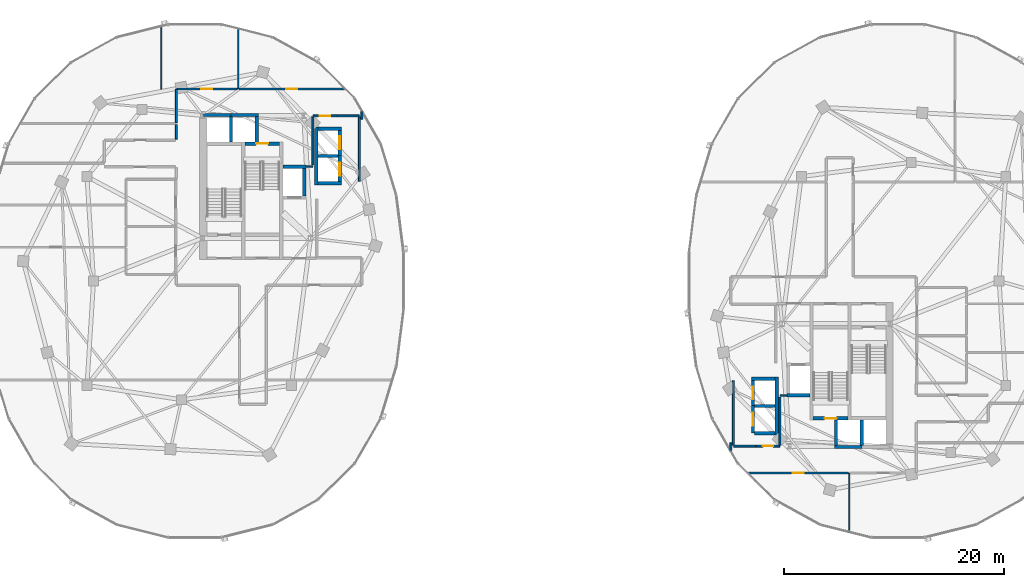
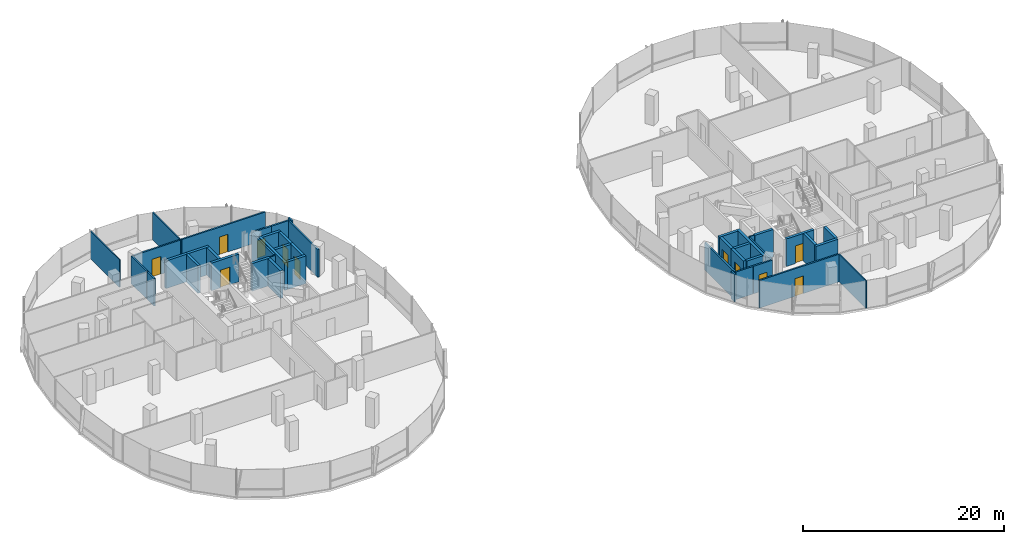
# One storey, part 13 of 22: 44 walls, 11 doors, 11 openings.
"""IFC4 building model written with IfcOpenShell, lengths in metres."""

from ifc_helpers import new_model, si_unit, direction, frame, frame_2d, origin, place, context, subcontext, project, spatial, rectangle, extrude, material, layer, layer_set, type_object, element, fill, save


model = new_model("IFC4")

# Units and contexts
model_context = context("Model", 3, precision=1e-05, world=origin(), true_north=direction((0.0, 1.0)))
body_context = subcontext(model_context, "Body", "Model", "MODEL_VIEW")
ifc_project = project(units=[si_unit("LENGTHUNIT", "METRE"), si_unit("AREAUNIT", "SQUARE_METRE"), si_unit("VOLUMEUNIT", "CUBIC_METRE"), si_unit("PLANEANGLEUNIT", "RADIAN"), si_unit("MASSUNIT", "GRAM", prefix="KILO"), si_unit("THERMODYNAMICTEMPERATUREUNIT", "KELVIN"), si_unit("POWERUNIT", "WATT")], contexts=[model_context])

# Site, building, storey
site_placement = place(None, origin())
site = spatial("IfcSite", under=ifc_project, at=site_placement, CompositionType="ELEMENT")
building_placement = place(site_placement, origin())
building = spatial("IfcBuilding", under=site, at=building_placement, Name="Cundina Bronze Exchange", CompositionType="ELEMENT")
storey_placement = place(building_placement, frame((0.0, 0.0, 154.800048828125)))
storey = spatial("IfcBuildingStorey", under=building, at=storey_placement, Name="L40", CompositionType="ELEMENT", Elevation=154.800048828125)

# Wall
ifc_material_1 = material(Name="Gypsum Fireboard Partition EI120")
ifc_layer_1 = layer(ifc_material_1, 0.179931640625, Name="Gypsum Fireboard Partition EI120")
ifc_layer_set_1 = layer_set([ifc_layer_1], Name="Gypsum Fireboard Partition EI120")
wall_type_1 = type_object("IfcWallType", Name="WL-COR-180", PredefinedType="PARTITIONING", material=ifc_layer_set_1)
wall_1_placement = place(storey_placement, frame((-17.02001953125, 9.070068359375, 0.0), z_axis=(0.0, 0.0, 1.0), x_axis=(0.0, 1.0, 0.0)))
element("IfcWall", 1, at=wall_1_placement, inside=storey, type_object=wall_type_1, Name="L40 Interior Partition 001", PredefinedType="PARTITIONING", context=body_context, shape_type="SweptSolid", body=[
    extrude(rectangle(XDim=5.85986328125, YDim=0.179931640625, at=frame_2d((2.929931640625, 0.0))), origin(), (0.0, 0.0, 1.0), 3.35986328125),
])

# Wall, opening, door
wall_2_placement = place(storey_placement, frame((-21.22998046875, 15.030029296875, 0.0), z_axis=(0.0, 0.0, 1.0), x_axis=(1.0, 0.0, 0.0)))
wall_2 = element("IfcWall", 2, at=wall_2_placement, inside=storey, type_object=wall_type_1, Name="L40 Interior Partition 002", PredefinedType="PARTITIONING", context=body_context, shape_type="SweptSolid", body=[
    extrude(rectangle(XDim=2.159912109375, YDim=0.179931640625, at=frame_2d((1.080078125, 0.0))), origin(), (0.0, 0.0, 1.0), 3.35986328125),
])
opening_1_placement = place(wall_2_placement, frame((0.60498046875, 0.0, 0.0)))
opening_1 = element("IfcOpeningElement", 3, at=opening_1_placement, cuts=wall_2, Name="Opening DW-01", PredefinedType="OPENING", context=body_context, shape_type="SweptSolid", body=[
    extrude(rectangle(XDim=0.949951171875, YDim=2.10009765625, at=frame_2d((0.47509765625, 1.050048828125))), frame((0.0, 0.099853515625, 0.0), z_axis=(0.0, -1.0, 0.0), x_axis=(1.0, 0.0, 0.0)), (0.0, 0.0, 1.0), 0.199951171875),
])
ifc_material_2 = material(Name="Solid Andean Oak Timber Grade A", Category="wood")
door_type_1 = type_object("IfcDoorType", Name="DR-WC-950", OperationType="NOTDEFINED", PredefinedType="DOOR", material=ifc_material_2)
door_1_placement = place(opening_1_placement, origin())
door_1 = element("IfcDoor", 4, at=door_1_placement, inside=storey, type_object=door_type_1, Name="L40 Interior Door 002", OperationType="SINGLE_SWING_LEFT", OverallHeight=2.10009765625, OverallWidth=0.949951171875, PredefinedType="DOOR", context=body_context, shape_type="SweptSolid", body=[
    extrude(rectangle(XDim=0.949951171875, YDim=2.10009765625, at=frame_2d((0.47509765625, 1.050048828125))), frame((0.0, 0.02490234375, 0.0), z_axis=(0.0, -1.0, 0.0), x_axis=(1.0, 0.0, 0.0)), (0.0, 0.0, 1.0), 0.050048828125),
])
fill(opening_1, door_1)

# Walls
wall_3_placement = place(storey_placement, frame((-19.030029296875, 15.030029296875, 0.0), z_axis=(0.0, 0.0, 1.0), x_axis=(1.0, 0.0, 0.0)))
element("IfcWall", 5, at=wall_3_placement, inside=storey, type_object=wall_type_1, Name="L40 Interior Partition 003", PredefinedType="PARTITIONING", context=body_context, shape_type="SweptSolid", body=[
    extrude(rectangle(XDim=1.989990234375, YDim=0.179931640625, at=frame_2d((0.9951171875, 0.0))), origin(), (0.0, 0.0, 1.0), 3.35986328125),
])
wall_4_placement = place(storey_placement, frame((-21.25, 10.570068359375, 0.0), z_axis=(0.0, 0.0, 1.0), x_axis=(0.0, 1.0, 0.0)))
element("IfcWall", 6, at=wall_4_placement, inside=storey, type_object=wall_type_1, Name="L40 Interior Partition 005", PredefinedType="PARTITIONING", context=body_context, shape_type="SweptSolid", body=[
    extrude(rectangle(XDim=4.35986328125, YDim=0.179931640625, at=frame_2d((2.179931640625, 0.0))), origin(), (0.0, 0.0, 1.0), 3.35986328125),
])
wall_5_placement = place(storey_placement, frame((-16.780029296875, 14.721435546875, 0.0), z_axis=(0.0, 0.0, 1.0), x_axis=(0.0, 1.0, 0.0)))
element("IfcWall", 7, at=wall_5_placement, inside=storey, type_object=wall_type_1, Name="L40 Interior Partition 033", PredefinedType="PARTITIONING", context=body_context, shape_type="SweptSolid", body=[
    extrude(rectangle(XDim=0.68359375, YDim=0.179931640625, at=frame_2d((0.341796875, 0.0))), origin(), (0.0, 0.0, 1.0), 3.35986328125),
])
wall_6_placement = place(storey_placement, frame((-33.669921875, 14.22998046875, 0.0), z_axis=(0.0, 0.0, 1.0), x_axis=(0.0, -1.0, 0.0)))
element("IfcWall", 8, at=wall_6_placement, inside=storey, type_object=wall_type_1, Name="L40 Interior Partition 038", PredefinedType="PARTITIONING", context=body_context, shape_type="SweptSolid", body=[
    extrude(rectangle(XDim=1.330078125, YDim=0.179931640625, at=frame_2d((0.6650390625, 0.0))), origin(), (0.0, 0.0, 1.0), 3.35986328125),
])

# Wall, opening, door
wall_7_placement = place(storey_placement, frame((-28.1298828125, 17.469970703125, 0.0), z_axis=(0.0, 0.0, 1.0), x_axis=(-1.0, 0.0, 0.0)))
wall_7 = element("IfcWall", 9, at=wall_7_placement, inside=storey, type_object=wall_type_1, Name="L40 Interior Partition 039", PredefinedType="PARTITIONING", context=body_context, shape_type="SweptSolid", body=[
    extrude(rectangle(XDim=5.49853515625, YDim=0.179931640625, at=frame_2d((2.749267578125, 0.0))), origin(), (0.0, 0.0, 1.0), 3.35986328125),
])
opening_2_placement = place(wall_7_placement, frame((2.249267578125, 0.0, 0.0)))
opening_2 = element("IfcOpeningElement", 10, at=opening_2_placement, cuts=wall_7, Name="Opening DO-01", PredefinedType="OPENING", context=body_context, shape_type="SweptSolid", body=[
    extrude(rectangle(XDim=1.0, YDim=2.14990234375, at=frame_2d((0.5, 1.074951171875))), frame((0.0, 0.099853515625, 0.0), z_axis=(0.0, -1.0, 0.0), x_axis=(1.0, 0.0, 0.0)), (0.0, 0.0, 1.0), 0.199951171875),
])
door_type_2 = type_object("IfcDoorType", Name="DR-OFF-1000", OperationType="NOTDEFINED", PredefinedType="DOOR", material=ifc_material_2)
door_2_placement = place(opening_2_placement, origin())
door_2 = element("IfcDoor", 11, at=door_2_placement, inside=storey, type_object=door_type_2, Name="L40 Interior Door 039", OperationType="SINGLE_SWING_RIGHT", OverallHeight=2.14990234375, OverallWidth=1.0, PredefinedType="DOOR", context=body_context, shape_type="SweptSolid", body=[
    extrude(rectangle(XDim=1.0, YDim=2.14990234375, at=frame_2d((0.5, 1.074951171875))), frame((0.0, 0.02490234375, 0.0), z_axis=(0.0, -1.0, 0.0), x_axis=(1.0, 0.0, 0.0)), (0.0, 0.0, 1.0), 0.050048828125),
])
fill(opening_2, door_2)

# Wall
wall_8_placement = place(storey_placement, frame((-33.669921875, 17.428466796875, 0.0), z_axis=(0.0, 0.0, 1.0), x_axis=(0.0, -1.0, 0.0)))
element("IfcWall", 12, at=wall_8_placement, inside=storey, type_object=wall_type_1, Name="L40 Interior Partition 040", PredefinedType="PARTITIONING", context=body_context, shape_type="SweptSolid", body=[
    extrude(rectangle(XDim=3.0185546875, YDim=0.179931640625, at=frame_2d((1.50927734375, 0.0))), origin(), (0.0, 0.0, 1.0), 3.35986328125),
])

# Wall, opening, door
wall_9_placement = place(storey_placement, frame((-18.341796875, 17.469970703125, 0.0), z_axis=(0.0, 0.0, 1.0), x_axis=(-1.0, 0.0, 0.0)))
wall_9 = element("IfcWall", 13, at=wall_9_placement, inside=storey, type_object=wall_type_1, Name="L40 Interior Partition 041", PredefinedType="PARTITIONING", context=body_context, shape_type="SweptSolid", body=[
    extrude(rectangle(XDim=9.608154296875, YDim=0.179931640625, at=frame_2d((4.80419921875, 0.0))), origin(), (0.0, 0.0, 1.0), 3.35986328125),
])
opening_3_placement = place(wall_9_placement, frame((4.30419921875, 0.0, 0.0)))
opening_3 = element("IfcOpeningElement", 14, at=opening_3_placement, cuts=wall_9, Name="Opening DO-01", PredefinedType="OPENING", context=body_context, shape_type="SweptSolid", body=[
    extrude(rectangle(XDim=1.0, YDim=2.14990234375, at=frame_2d((0.5, 1.074951171875))), frame((0.0, 0.099853515625, 0.0), z_axis=(0.0, -1.0, 0.0), x_axis=(1.0, 0.0, 0.0)), (0.0, 0.0, 1.0), 0.199951171875),
])
door_3_placement = place(opening_3_placement, origin())
door_3 = element("IfcDoor", 15, at=door_3_placement, inside=storey, type_object=door_type_2, Name="L40 Interior Door 041", OperationType="SINGLE_SWING_LEFT", OverallHeight=2.14990234375, OverallWidth=1.0, PredefinedType="DOOR", context=body_context, shape_type="SweptSolid", body=[
    extrude(rectangle(XDim=1.0, YDim=2.14990234375, at=frame_2d((0.5, 1.074951171875))), frame((0.0, 0.02490234375, 0.0), z_axis=(0.0, -1.0, 0.0), x_axis=(1.0, 0.0, 0.0)), (0.0, 0.0, 1.0), 0.050048828125),
])
fill(opening_3, door_3)

# Walls
wall_10_placement = place(storey_placement, frame((17.02001953125, -14.929931640625, 0.0), z_axis=(0.0, 0.0, 1.0), x_axis=(0.0, 1.0, 0.0)))
element("IfcWall", 16, at=wall_10_placement, inside=storey, type_object=wall_type_1, Name="L40 Interior Partition 043", PredefinedType="PARTITIONING", context=body_context, shape_type="SweptSolid", body=[
    extrude(rectangle(XDim=5.85986328125, YDim=0.179931640625, at=frame_2d((2.929931640625, 0.0))), origin(), (0.0, 0.0, 1.0), 3.35986328125),
])
wall_11_placement = place(storey_placement, frame((17.0400390625, -15.030029296875, 0.0), z_axis=(0.0, 0.0, 1.0), x_axis=(1.0, 0.0, 0.0)))
element("IfcWall", 17, at=wall_11_placement, inside=storey, type_object=wall_type_1, Name="L40 Interior Partition 044", PredefinedType="PARTITIONING", context=body_context, shape_type="SweptSolid", body=[
    extrude(rectangle(XDim=1.989990234375, YDim=0.179931640625, at=frame_2d((0.9951171875, 0.0))), origin(), (0.0, 0.0, 1.0), 3.35986328125),
])

# Wall, opening, door
wall_12_placement = place(storey_placement, frame((21.22998046875, -15.030029296875, 0.0), z_axis=(0.0, 0.0, 1.0), x_axis=(-1.0, 0.0, 0.0)))
wall_12 = element("IfcWall", 18, at=wall_12_placement, inside=storey, type_object=wall_type_1, Name="L40 Interior Partition 045", PredefinedType="PARTITIONING", context=body_context, shape_type="SweptSolid", body=[
    extrude(rectangle(XDim=2.159912109375, YDim=0.179931640625, at=frame_2d((1.080078125, 0.0))), origin(), (0.0, 0.0, 1.0), 3.35986328125),
])
opening_4_placement = place(wall_12_placement, frame((0.60498046875, 0.0, 0.0)))
opening_4 = element("IfcOpeningElement", 19, at=opening_4_placement, cuts=wall_12, Name="Opening DW-01", PredefinedType="OPENING", context=body_context, shape_type="SweptSolid", body=[
    extrude(rectangle(XDim=0.949951171875, YDim=2.10009765625, at=frame_2d((0.47509765625, 1.050048828125))), frame((0.0, 0.099853515625, 0.0), z_axis=(0.0, -1.0, 0.0), x_axis=(1.0, 0.0, 0.0)), (0.0, 0.0, 1.0), 0.199951171875),
])
door_4_placement = place(opening_4_placement, origin())
door_4 = element("IfcDoor", 20, at=door_4_placement, inside=storey, type_object=door_type_1, Name="L40 Interior Door 045", OperationType="SINGLE_SWING_RIGHT", OverallHeight=2.10009765625, OverallWidth=0.949951171875, PredefinedType="DOOR", context=body_context, shape_type="SweptSolid", body=[
    extrude(rectangle(XDim=0.949951171875, YDim=2.10009765625, at=frame_2d((0.47509765625, 1.050048828125))), frame((0.0, 0.02490234375, 0.0), z_axis=(0.0, -1.0, 0.0), x_axis=(1.0, 0.0, 0.0)), (0.0, 0.0, 1.0), 0.050048828125),
])
fill(opening_4, door_4)

# Wall
wall_13_placement = place(storey_placement, frame((21.25, -14.929931640625, 0.0), z_axis=(0.0, 0.0, 1.0), x_axis=(0.0, 1.0, 0.0)))
element("IfcWall", 21, at=wall_13_placement, inside=storey, type_object=wall_type_1, Name="L40 Interior Partition 047", PredefinedType="PARTITIONING", context=body_context, shape_type="SweptSolid", body=[
    extrude(rectangle(XDim=4.35986328125, YDim=0.179931640625, at=frame_2d((2.179931640625, 0.0))), origin(), (0.0, 0.0, 1.0), 3.35986328125),
])

# Wall, opening, door
wall_14_placement = place(storey_placement, frame((18.341796875, -17.469970703125, 0.0), z_axis=(0.0, 0.0, 1.0), x_axis=(1.0, 0.0, 0.0)))
wall_14 = element("IfcWall", 22, at=wall_14_placement, inside=storey, type_object=wall_type_1, Name="L40 Interior Partition 065", PredefinedType="PARTITIONING", context=body_context, shape_type="SweptSolid", body=[
    extrude(rectangle(XDim=9.128173828125, YDim=0.179931640625, at=frame_2d((4.56396484375, 0.0))), origin(), (0.0, 0.0, 1.0), 3.35986328125),
])
opening_5_placement = place(wall_14_placement, frame((4.064208984375, 0.0, 0.0)))
opening_5 = element("IfcOpeningElement", 23, at=opening_5_placement, cuts=wall_14, Name="Opening DO-01", PredefinedType="OPENING", context=body_context, shape_type="SweptSolid", body=[
    extrude(rectangle(XDim=1.0, YDim=2.14990234375, at=frame_2d((0.5, 1.074951171875))), frame((0.0, 0.099853515625, 0.0), z_axis=(0.0, -1.0, 0.0), x_axis=(1.0, 0.0, 0.0)), (0.0, 0.0, 1.0), 0.199951171875),
])
door_5_placement = place(opening_5_placement, origin())
door_5 = element("IfcDoor", 24, at=door_5_placement, inside=storey, type_object=door_type_2, Name="L40 Interior Door 065", OperationType="SINGLE_SWING_RIGHT", OverallHeight=2.14990234375, OverallWidth=1.0, PredefinedType="DOOR", context=body_context, shape_type="SweptSolid", body=[
    extrude(rectangle(XDim=1.0, YDim=2.14990234375, at=frame_2d((0.5, 1.074951171875))), frame((0.0, 0.02490234375, 0.0), z_axis=(0.0, -1.0, 0.0), x_axis=(1.0, 0.0, 0.0)), (0.0, 0.0, 1.0), 0.050048828125),
])
fill(opening_5, door_5)

# Walls
wall_15_placement = place(storey_placement, frame((16.780029296875, -14.721435546875, 0.0), z_axis=(0.0, 0.0, 1.0), x_axis=(0.0, -1.0, 0.0)))
element("IfcWall", 25, at=wall_15_placement, inside=storey, type_object=wall_type_1, Name="L40 Interior Partition 077", PredefinedType="PARTITIONING", context=body_context, shape_type="SweptSolid", body=[
    extrude(rectangle(XDim=0.68359375, YDim=0.179931640625, at=frame_2d((0.341796875, 0.0))), origin(), (0.0, 0.0, 1.0), 3.35986328125),
])
ifc_material_3 = material(Name="Gypsum Acoustic Partition EI60")
ifc_layer_2 = layer(ifc_material_3, 0.125, Name="Gypsum Acoustic Partition EI60")
ifc_layer_set_2 = layer_set([ifc_layer_2], Name="Gypsum Acoustic Partition EI60")
wall_type_2 = type_object("IfcWallType", Name="WL-OFF-125", PredefinedType="PARTITIONING", material=ifc_layer_set_2)
wall_16_placement = place(storey_placement, frame((-35.0400390625, 17.469970703125, 0.0), z_axis=(0.0, 0.0, 1.0), x_axis=(0.0, 1.0, 0.0)))
element("IfcWall", 26, at=wall_16_placement, inside=storey, type_object=wall_type_2, Name="L40 Interior Partition 021", PredefinedType="PARTITIONING", context=body_context, shape_type="SweptSolid", body=[
    extrude(rectangle(XDim=5.78173828125, YDim=0.125, at=frame_2d((2.890869140625, 0.0))), origin(), (0.0, 0.0, 1.0), 3.35986328125),
])
wall_17_placement = place(storey_placement, frame((-28.0400390625, 17.5, 0.0), z_axis=(0.0, 0.0, 1.0), x_axis=(0.0, 1.0, 0.0)))
element("IfcWall", 27, at=wall_17_placement, inside=storey, type_object=wall_type_2, Name="L40 Interior Partition 022", PredefinedType="PARTITIONING", context=body_context, shape_type="SweptSolid", body=[
    extrude(rectangle(XDim=5.521484375, YDim=0.125, at=frame_2d((2.7607421875, 0.0))), origin(), (0.0, 0.0, 1.0), 3.35986328125),
])
wall_18_placement = place(storey_placement, frame((27.56005859375, -22.9013671875, 0.0), z_axis=(0.0, 0.0, 1.0), x_axis=(0.0, 1.0, 0.0)))
element("IfcWall", 28, at=wall_18_placement, inside=storey, type_object=wall_type_2, Name="L40 Interior Partition 064", PredefinedType="PARTITIONING", context=body_context, shape_type="SweptSolid", body=[
    extrude(rectangle(XDim=5.4013671875, YDim=0.125, at=frame_2d((2.70068359375, 0.0))), origin(), (0.0, 0.0, 1.0), 3.35986328125),
])

# Wall, opening, door
ifc_material_4 = material(Name="Concrete C50/60", Category="concrete")
ifc_layer_3 = layer(ifc_material_4, 0.300048828125, Name="Concrete C50/60", Category="concrete")
ifc_layer_set_3 = layer_set([ifc_layer_3], Name="Concrete C50/60")
wall_type_3 = type_object("IfcWallType", Name="WL-SHFT-300", PredefinedType="SHEAR", material=ifc_layer_set_3)
wall_19_placement = place(storey_placement, frame((-27.43994140625, 12.5, 0.0), z_axis=(0.0, 0.0, 1.0), x_axis=(1.0, 0.0, 0.0)))
wall_19 = element("IfcWall", 29, at=wall_19_placement, inside=storey, type_object=wall_type_3, Name="L40 Stair W2 Landing Wall", PredefinedType="SHEAR", context=body_context, shape_type="SweptSolid", body=[
    extrude(rectangle(XDim=3.159912109375, YDim=0.300048828125, at=frame_2d((1.580078125, 0.0))), origin(), (0.0, 0.0, 1.0), 3.35986328125),
])
opening_6_placement = place(wall_19_placement, frame((1.030029296875, 0.0, 0.0)))
opening_6 = element("IfcOpeningElement", 30, at=opening_6_placement, cuts=wall_19, Name="Opening DS-01", PredefinedType="OPENING", context=body_context, shape_type="SweptSolid", body=[
    extrude(rectangle(XDim=1.10009765625, YDim=2.14990234375, at=frame_2d((0.550048828125, 1.074951171875))), frame((0.0, 0.159912109375, 0.0), z_axis=(0.0, -1.0, 0.0), x_axis=(1.0, 0.0, 0.0)), (0.0, 0.0, 1.0), 0.320068359375),
])
ifc_material_5 = material(Name="Steel ASTM A36 Painted", Category="steel")
door_type_3 = type_object("IfcDoorType", Name="DR-STR-1100", OperationType="NOTDEFINED", PredefinedType="DOOR", material=ifc_material_5)
door_6_placement = place(opening_6_placement, origin())
door_6 = element("IfcDoor", 31, at=door_6_placement, inside=storey, type_object=door_type_3, Name="L40 Smokeproof Stair W2 Door", OperationType="SINGLE_SWING_LEFT", OverallHeight=2.14990234375, OverallWidth=1.10009765625, PredefinedType="DOOR", context=body_context, shape_type="SweptSolid", body=[
    extrude(rectangle(XDim=1.10009765625, YDim=2.14990234375, at=frame_2d((0.550048828125, 1.074951171875))), frame((0.0, 0.02490234375, 0.0), z_axis=(0.0, -1.0, 0.0), x_axis=(1.0, 0.0, 0.0)), (0.0, 0.0, 1.0), 0.050048828125),
])
fill(opening_6, door_6)

# Walls
wall_20_placement = place(storey_placement, frame((-23.97998046875, 10.39990234375, 0.0), z_axis=(0.0, 0.0, 1.0), x_axis=(1.0, 0.0, 0.0)))
element("IfcWall", 32, at=wall_20_placement, inside=storey, type_object=wall_type_3, Name="L40 FFL-W Hoistway Back Wall", PredefinedType="SHEAR", context=body_context, shape_type="SweptSolid", body=[
    extrude(rectangle(XDim=2.10009765625, YDim=0.300048828125, at=frame_2d((1.050048828125, 0.0))), origin(), (0.0, 0.0, 1.0), 3.35986328125),
])
for number, where, z_axis, x_axis, name in (
    (33, (-22.030029296875, 7.75, 0.0), (0.0, 0.0, 1.0), (0.0, 1.0, 0.0), "L40 FFL-W Hoistway Side Wall"),
    (34, (-31.199951171875, 15.10009765625, 0.0), (0.0, 0.0, 1.0), (1.0, 0.0, 0.0), "L40 PH-W1 Hoistway Front Wall"),
):
    element("IfcWall", number, at=place(storey_placement, frame(where, z_axis=z_axis, x_axis=x_axis)), inside=storey, type_object=wall_type_3, Name=name, PredefinedType="SHEAR", context=body_context, shape_type="SweptSolid", body=[
        extrude(rectangle(XDim=2.5, YDim=0.300048828125, at=frame_2d((1.25, 0.0))), origin(), (0.0, 0.0, 1.0), 3.35986328125),
    ])
wall_21_placement = place(storey_placement, frame((-28.699951171875, 12.64990234375, 0.0), z_axis=(0.0, 0.0, 1.0), x_axis=(0.0, 1.0, 0.0)))
element("IfcWall", 35, at=wall_21_placement, inside=storey, type_object=wall_type_3, Name="L40 PH-W1 Hoistway Divider Wall", PredefinedType="SHEAR", context=body_context, shape_type="SweptSolid", body=[
    extrude(rectangle(XDim=2.300048828125, YDim=0.300048828125, at=frame_2d((1.14990234375, 0.0))), origin(), (0.0, 0.0, 1.0), 3.35986328125),
])
wall_22_placement = place(storey_placement, frame((-28.699951171875, 15.10009765625, 0.0), z_axis=(0.0, 0.0, 1.0), x_axis=(1.0, 0.0, 0.0)))
element("IfcWall", 36, at=wall_22_placement, inside=storey, type_object=wall_type_3, Name="L40 PH-W2 Hoistway Front Wall", PredefinedType="SHEAR", context=body_context, shape_type="SweptSolid", body=[
    extrude(rectangle(XDim=2.5, YDim=0.300048828125, at=frame_2d((1.25, 0.0))), origin(), (0.0, 0.0, 1.0), 3.35986328125),
])
wall_23_placement = place(storey_placement, frame((-26.35009765625, 12.64990234375, 0.0), z_axis=(0.0, 0.0, 1.0), x_axis=(0.0, 1.0, 0.0)))
element("IfcWall", 37, at=wall_23_placement, inside=storey, type_object=wall_type_3, Name="L40 PH-W2 Hoistway Divider Wall", PredefinedType="SHEAR", context=body_context, shape_type="SweptSolid", body=[
    extrude(rectangle(XDim=2.300048828125, YDim=0.300048828125, at=frame_2d((1.14990234375, 0.0))), origin(), (0.0, 0.0, 1.0), 3.35986328125),
])
wall_24_placement = place(storey_placement, frame((-20.949951171875, 8.75, 0.0), z_axis=(0.0, 0.0, 1.0), x_axis=(0.0, 1.0, 0.0)))
element("IfcWall", 38, at=wall_24_placement, inside=storey, type_object=wall_type_3, Name="L40 W Passenger Bank Hoistway Back Wall", PredefinedType="SHEAR", context=body_context, shape_type="SweptSolid", body=[
    extrude(rectangle(XDim=5.25, YDim=0.300048828125, at=frame_2d((2.625, 0.0))), origin(), (0.0, 0.0, 1.0), 3.35986328125),
])
for number, where, z_axis, x_axis, name in (
    (39, (-20.800048828125, 8.89990234375, 0.0), (0.0, 0.0, 1.0), (1.0, 0.0, 0.0), "L40 W Passenger Bank South Cap Wall"),
    (40, (-20.800048828125, 13.85009765625, 0.0), (0.0, 0.0, 1.0), (1.0, 0.0, 0.0), "L40 W Passenger Bank North Cap Wall"),
):
    element("IfcWall", number, at=place(storey_placement, frame(where, z_axis=z_axis, x_axis=x_axis)), inside=storey, type_object=wall_type_3, Name=name, PredefinedType="SHEAR", context=body_context, shape_type="SweptSolid", body=[
        extrude(rectangle(XDim=2.150146484375, YDim=0.300048828125, at=frame_2d((1.0751953125, 0.0))), origin(), (0.0, 0.0, 1.0), 3.35986328125),
    ])
wall_25_placement = place(storey_placement, frame((-20.800048828125, 11.375, 0.0), z_axis=(0.0, 0.0, 1.0), x_axis=(1.0, 0.0, 0.0)))
element("IfcWall", 41, at=wall_25_placement, inside=storey, type_object=wall_type_3, Name="L40 W Passenger Hoistway Divider 1", PredefinedType="SHEAR", context=body_context, shape_type="SweptSolid", body=[
    extrude(rectangle(XDim=1.85009765625, YDim=0.300048828125, at=frame_2d((0.925048828125, 0.0))), origin(), (0.0, 0.0, 1.0), 3.35986328125),
])

# Wall, opening, door
wall_26_placement = place(storey_placement, frame((-18.800048828125, 8.929931640625, 0.0), z_axis=(0.0, 0.0, 1.0), x_axis=(0.0, 1.0, 0.0)))
wall_26 = element("IfcWall", 42, at=wall_26_placement, inside=storey, type_object=wall_type_3, Name="L40 PM-W2 Hoistway Front Wall", PredefinedType="SHEAR", context=body_context, shape_type="SweptSolid", body=[
    extrude(rectangle(XDim=2.489990234375, YDim=0.300048828125, at=frame_2d((1.2451171875, 0.0))), origin(), (0.0, 0.0, 1.0), 3.35986328125),
])
opening_7_placement = place(wall_26_placement, frame((0.669921875, 0.0, 0.0)))
opening_7 = element("IfcOpeningElement", 43, at=opening_7_placement, cuts=wall_26, Name="Opening LD-01", PredefinedType="OPENING", context=body_context, shape_type="SweptSolid", body=[
    extrude(rectangle(XDim=1.14990234375, YDim=2.199951171875, at=frame_2d((0.574951171875, 1.10009765625))), frame((0.0, 0.159912109375, 0.0), z_axis=(0.0, -1.0, 0.0), x_axis=(1.0, 0.0, 0.0)), (0.0, 0.0, 1.0), 0.320068359375),
])
door_type_4 = type_object("IfcDoorType", Name="DR-LND-1150", OperationType="NOTDEFINED", PredefinedType="TRAPDOOR", material=ifc_material_5)
door_7_placement = place(opening_7_placement, origin())
door_7 = element("IfcDoor", 44, at=door_7_placement, inside=storey, type_object=door_type_4, Name="L40 PM-W2 Sliding Landing Door", OperationType="SLIDING_TO_LEFT", OverallHeight=2.199951171875, OverallWidth=1.14990234375, PredefinedType="TRAPDOOR", context=body_context, shape_type="SweptSolid", body=[
    extrude(rectangle(XDim=1.14990234375, YDim=2.199951171875, at=frame_2d((0.574951171875, 1.10009765625))), frame((0.0, 0.02490234375, 0.0), z_axis=(0.0, -1.0, 0.0), x_axis=(1.0, 0.0, 0.0)), (0.0, 0.0, 1.0), 0.050048828125),
])
fill(opening_7, door_7)

wall_27_placement = place(storey_placement, frame((-18.800048828125, 11.330078125, 0.0), z_axis=(0.0, 0.0, 1.0), x_axis=(0.0, 1.0, 0.0)))
wall_27 = element("IfcWall", 45, at=wall_27_placement, inside=storey, type_object=wall_type_3, Name="L40 PM-W1 Hoistway Front Wall", PredefinedType="SHEAR", context=body_context, shape_type="SweptSolid", body=[
    extrude(rectangle(XDim=2.489990234375, YDim=0.300048828125, at=frame_2d((1.2451171875, 0.0))), origin(), (0.0, 0.0, 1.0), 3.35986328125),
])
opening_8_placement = place(wall_27_placement, frame((0.669921875, 0.0, 0.0)))
opening_8 = element("IfcOpeningElement", 46, at=opening_8_placement, cuts=wall_27, Name="Opening LD-01", PredefinedType="OPENING", context=body_context, shape_type="SweptSolid", body=[
    extrude(rectangle(XDim=1.14990234375, YDim=2.199951171875, at=frame_2d((0.574951171875, 1.10009765625))), frame((0.0, 0.159912109375, 0.0), z_axis=(0.0, -1.0, 0.0), x_axis=(1.0, 0.0, 0.0)), (0.0, 0.0, 1.0), 0.320068359375),
])
door_8_placement = place(opening_8_placement, origin())
door_8 = element("IfcDoor", 47, at=door_8_placement, inside=storey, type_object=door_type_4, Name="L40 PM-W1 Sliding Landing Door", OperationType="SLIDING_TO_LEFT", OverallHeight=2.199951171875, OverallWidth=1.14990234375, PredefinedType="TRAPDOOR", context=body_context, shape_type="SweptSolid", body=[
    extrude(rectangle(XDim=1.14990234375, YDim=2.199951171875, at=frame_2d((0.574951171875, 1.10009765625))), frame((0.0, 0.02490234375, 0.0), z_axis=(0.0, -1.0, 0.0), x_axis=(1.0, 0.0, 0.0)), (0.0, 0.0, 1.0), 0.050048828125),
])
fill(opening_8, door_8)

wall_28_placement = place(storey_placement, frame((24.280029296875, -12.5, 0.0), z_axis=(0.0, 0.0, 1.0), x_axis=(1.0, 0.0, 0.0)))
wall_28 = element("IfcWall", 48, at=wall_28_placement, inside=storey, type_object=wall_type_3, Name="L40 Stair E2 Landing Wall", PredefinedType="SHEAR", context=body_context, shape_type="SweptSolid", body=[
    extrude(rectangle(XDim=3.159912109375, YDim=0.300048828125, at=frame_2d((1.580078125, 0.0))), origin(), (0.0, 0.0, 1.0), 3.35986328125),
])
opening_9_placement = place(wall_28_placement, frame((1.030029296875, 0.0, 0.0)))
opening_9 = element("IfcOpeningElement", 49, at=opening_9_placement, cuts=wall_28, Name="Opening DS-01", PredefinedType="OPENING", context=body_context, shape_type="SweptSolid", body=[
    extrude(rectangle(XDim=1.10009765625, YDim=2.14990234375, at=frame_2d((0.550048828125, 1.074951171875))), frame((0.0, 0.159912109375, 0.0), z_axis=(0.0, -1.0, 0.0), x_axis=(1.0, 0.0, 0.0)), (0.0, 0.0, 1.0), 0.320068359375),
])
door_9_placement = place(opening_9_placement, origin())
door_9 = element("IfcDoor", 50, at=door_9_placement, inside=storey, type_object=door_type_3, Name="L40 Smokeproof Stair E2 Door", OperationType="SINGLE_SWING_RIGHT", OverallHeight=2.14990234375, OverallWidth=1.10009765625, PredefinedType="DOOR", context=body_context, shape_type="SweptSolid", body=[
    extrude(rectangle(XDim=1.10009765625, YDim=2.14990234375, at=frame_2d((0.550048828125, 1.074951171875))), frame((0.0, 0.02490234375, 0.0), z_axis=(0.0, -1.0, 0.0), x_axis=(1.0, 0.0, 0.0)), (0.0, 0.0, 1.0), 0.050048828125),
])
fill(opening_9, door_9)

# Walls
wall_29_placement = place(storey_placement, frame((21.8798828125, -10.39990234375, 0.0), z_axis=(0.0, 0.0, 1.0), x_axis=(1.0, 0.0, 0.0)))
element("IfcWall", 51, at=wall_29_placement, inside=storey, type_object=wall_type_3, Name="L40 FFL-E Hoistway Back Wall", PredefinedType="SHEAR", context=body_context, shape_type="SweptSolid", body=[
    extrude(rectangle(XDim=2.10009765625, YDim=0.300048828125, at=frame_2d((1.050048828125, 0.0))), origin(), (0.0, 0.0, 1.0), 3.35986328125),
])
wall_30_placement = place(storey_placement, frame((28.699951171875, -14.949951171875, 0.0), z_axis=(0.0, 0.0, 1.0), x_axis=(0.0, 1.0, 0.0)))
element("IfcWall", 52, at=wall_30_placement, inside=storey, type_object=wall_type_3, Name="L40 PH-E1 Hoistway Divider Wall", PredefinedType="SHEAR", context=body_context, shape_type="SweptSolid", body=[
    extrude(rectangle(XDim=2.300048828125, YDim=0.300048828125, at=frame_2d((1.14990234375, 0.0))), origin(), (0.0, 0.0, 1.0), 3.35986328125),
])
wall_31_placement = place(storey_placement, frame((26.199951171875, -15.10009765625, 0.0), z_axis=(0.0, 0.0, 1.0), x_axis=(1.0, 0.0, 0.0)))
element("IfcWall", 53, at=wall_31_placement, inside=storey, type_object=wall_type_3, Name="L40 PH-E2 Hoistway Front Wall", PredefinedType="SHEAR", context=body_context, shape_type="SweptSolid", body=[
    extrude(rectangle(XDim=2.5, YDim=0.300048828125, at=frame_2d((1.25, 0.0))), origin(), (0.0, 0.0, 1.0), 3.35986328125),
])
wall_32_placement = place(storey_placement, frame((26.35009765625, -14.949951171875, 0.0), z_axis=(0.0, 0.0, 1.0), x_axis=(0.0, 1.0, 0.0)))
element("IfcWall", 54, at=wall_32_placement, inside=storey, type_object=wall_type_3, Name="L40 PH-E2 Hoistway Divider Wall", PredefinedType="SHEAR", context=body_context, shape_type="SweptSolid", body=[
    extrude(rectangle(XDim=2.300048828125, YDim=0.300048828125, at=frame_2d((1.14990234375, 0.0))), origin(), (0.0, 0.0, 1.0), 3.35986328125),
])
wall_33_placement = place(storey_placement, frame((20.949951171875, -14.0, 0.0), z_axis=(0.0, 0.0, 1.0), x_axis=(0.0, 1.0, 0.0)))
element("IfcWall", 55, at=wall_33_placement, inside=storey, type_object=wall_type_3, Name="L40 E Passenger Bank Hoistway Back Wall", PredefinedType="SHEAR", context=body_context, shape_type="SweptSolid", body=[
    extrude(rectangle(XDim=5.25, YDim=0.300048828125, at=frame_2d((2.625, 0.0))), origin(), (0.0, 0.0, 1.0), 3.35986328125),
])
wall_34_placement = place(storey_placement, frame((18.949951171875, -13.85009765625, 0.0), z_axis=(0.0, 0.0, 1.0), x_axis=(1.0, 0.0, 0.0)))
element("IfcWall", 56, at=wall_34_placement, inside=storey, type_object=wall_type_3, Name="L40 E Passenger Bank South Cap Wall", PredefinedType="SHEAR", context=body_context, shape_type="SweptSolid", body=[
    extrude(rectangle(XDim=1.85009765625, YDim=0.300048828125, at=frame_2d((0.925048828125, 0.0))), origin(), (0.0, 0.0, 1.0), 3.35986328125),
])
wall_35_placement = place(storey_placement, frame((18.64990234375, -8.89990234375, 0.0), z_axis=(0.0, 0.0, 1.0), x_axis=(1.0, 0.0, 0.0)))
element("IfcWall", 57, at=wall_35_placement, inside=storey, type_object=wall_type_3, Name="L40 E Passenger Bank North Cap Wall", PredefinedType="SHEAR", context=body_context, shape_type="SweptSolid", body=[
    extrude(rectangle(XDim=2.150146484375, YDim=0.300048828125, at=frame_2d((1.0751953125, 0.0))), origin(), (0.0, 0.0, 1.0), 3.35986328125),
])
wall_36_placement = place(storey_placement, frame((18.949951171875, -11.375, 0.0), z_axis=(0.0, 0.0, 1.0), x_axis=(1.0, 0.0, 0.0)))
element("IfcWall", 58, at=wall_36_placement, inside=storey, type_object=wall_type_3, Name="L40 E Passenger Hoistway Divider 1", PredefinedType="SHEAR", context=body_context, shape_type="SweptSolid", body=[
    extrude(rectangle(XDim=1.85009765625, YDim=0.300048828125, at=frame_2d((0.925048828125, 0.0))), origin(), (0.0, 0.0, 1.0), 3.35986328125),
])

# Wall, opening, door
wall_37_placement = place(storey_placement, frame((18.800048828125, -13.820068359375, 0.0), z_axis=(0.0, 0.0, 1.0), x_axis=(0.0, 1.0, 0.0)))
wall_37 = element("IfcWall", 59, at=wall_37_placement, inside=storey, type_object=wall_type_3, Name="L40 PM-E1 Hoistway Front Wall", PredefinedType="SHEAR", context=body_context, shape_type="SweptSolid", body=[
    extrude(rectangle(XDim=2.489990234375, YDim=0.300048828125, at=frame_2d((1.2451171875, 0.0))), origin(), (0.0, 0.0, 1.0), 3.35986328125),
])
opening_10_placement = place(wall_37_placement, frame((0.669921875, 0.0, 0.0)))
opening_10 = element("IfcOpeningElement", 60, at=opening_10_placement, cuts=wall_37, Name="Opening LD-01", PredefinedType="OPENING", context=body_context, shape_type="SweptSolid", body=[
    extrude(rectangle(XDim=1.14990234375, YDim=2.199951171875, at=frame_2d((0.574951171875, 1.10009765625))), frame((0.0, 0.159912109375, 0.0), z_axis=(0.0, -1.0, 0.0), x_axis=(1.0, 0.0, 0.0)), (0.0, 0.0, 1.0), 0.320068359375),
])
door_10_placement = place(opening_10_placement, origin())
door_10 = element("IfcDoor", 61, at=door_10_placement, inside=storey, type_object=door_type_4, Name="L40 PM-E1 Sliding Landing Door", OperationType="SLIDING_TO_LEFT", OverallHeight=2.199951171875, OverallWidth=1.14990234375, PredefinedType="TRAPDOOR", context=body_context, shape_type="SweptSolid", body=[
    extrude(rectangle(XDim=1.14990234375, YDim=2.199951171875, at=frame_2d((0.574951171875, 1.10009765625))), frame((0.0, 0.02490234375, 0.0), z_axis=(0.0, -1.0, 0.0), x_axis=(1.0, 0.0, 0.0)), (0.0, 0.0, 1.0), 0.050048828125),
])
fill(opening_10, door_10)

wall_38_placement = place(storey_placement, frame((18.800048828125, -11.419921875, 0.0), z_axis=(0.0, 0.0, 1.0), x_axis=(0.0, 1.0, 0.0)))
wall_38 = element("IfcWall", 62, at=wall_38_placement, inside=storey, type_object=wall_type_3, Name="L40 PM-E2 Hoistway Front Wall", PredefinedType="SHEAR", context=body_context, shape_type="SweptSolid", body=[
    extrude(rectangle(XDim=2.489990234375, YDim=0.300048828125, at=frame_2d((1.2451171875, 0.0))), origin(), (0.0, 0.0, 1.0), 3.35986328125),
])
opening_11_placement = place(wall_38_placement, frame((0.669921875, 0.0, 0.0)))
opening_11 = element("IfcOpeningElement", 63, at=opening_11_placement, cuts=wall_38, Name="Opening LD-01", PredefinedType="OPENING", context=body_context, shape_type="SweptSolid", body=[
    extrude(rectangle(XDim=1.14990234375, YDim=2.199951171875, at=frame_2d((0.574951171875, 1.10009765625))), frame((0.0, 0.159912109375, 0.0), z_axis=(0.0, -1.0, 0.0), x_axis=(1.0, 0.0, 0.0)), (0.0, 0.0, 1.0), 0.320068359375),
])
door_11_placement = place(opening_11_placement, origin())
door_11 = element("IfcDoor", 64, at=door_11_placement, inside=storey, type_object=door_type_4, Name="L40 PM-E2 Sliding Landing Door", OperationType="SLIDING_TO_LEFT", OverallHeight=2.199951171875, OverallWidth=1.14990234375, PredefinedType="TRAPDOOR", context=body_context, shape_type="SweptSolid", body=[
    extrude(rectangle(XDim=1.14990234375, YDim=2.199951171875, at=frame_2d((0.574951171875, 1.10009765625))), frame((0.0, 0.02490234375, 0.0), z_axis=(0.0, -1.0, 0.0), x_axis=(1.0, 0.0, 0.0)), (0.0, 0.0, 1.0), 0.050048828125),
])
fill(opening_11, door_11)

# Walls
ifc_material_6 = material(Name="Moisture-Resistant Masonry Block Grade M15", Category="masonry")
ifc_layer_4 = layer(ifc_material_6, 0.139892578125, Name="Moisture-Resistant Masonry Block Grade M15", Category="masonry")
ifc_layer_set_4 = layer_set([ifc_layer_4], Name="Moisture-Resistant Masonry Block Grade M15")
wall_type_4 = type_object("IfcWallType", Name="WL-WET-140", PredefinedType="PARTITIONING", material=ifc_layer_set_4)
for number, where, z_axis, x_axis, name in (
    (65, (-21.860107421875, 10.39990234375, 0.0), (0.0, 0.0, 1.0), (1.0, 0.0, 0.0), "L40 Interior Partition 004"),
    (66, (21.27001953125, -10.39990234375, 0.0), (0.0, 0.0, 1.0), (1.0, 0.0, 0.0), "L40 Interior Partition 046"),
):
    element("IfcWall", number, at=place(storey_placement, frame(where, z_axis=z_axis, x_axis=x_axis)), inside=storey, type_object=wall_type_4, Name=name, PredefinedType="PARTITIONING", context=body_context, shape_type="SweptSolid", body=[
        extrude(rectangle(XDim=0.590087890625, YDim=0.139892578125, at=frame_2d((0.294921875, 0.0))), origin(), (0.0, 0.0, 1.0), 3.35986328125),
    ])

save(model, "model.ifc")
